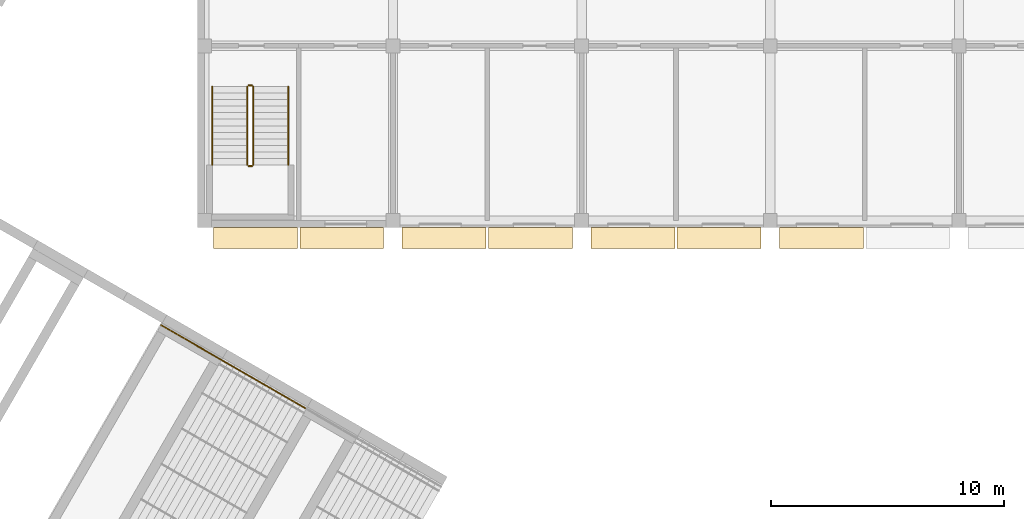
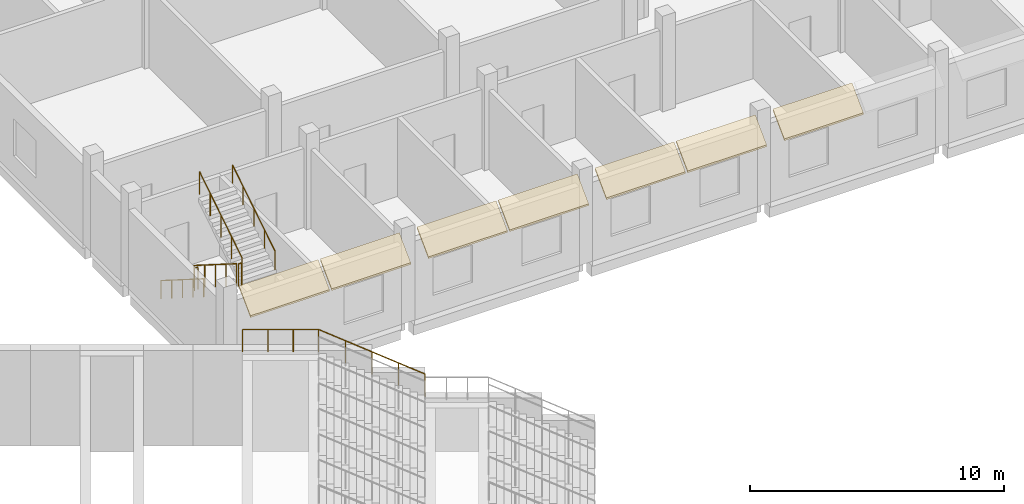
# One storey, part 35 of 38: 8 railings, 7 coverings.
"""IFC4 building model written with IfcOpenShell, lengths in metres."""

from ifc_helpers import new_model, si_unit, direction, frame, origin, origin_2d, place, context, subcontext, project, spatial, polyline, circle, outline, extrude, material, layer, layer_set, type_object, element, save


model = new_model("IFC4")

# Units and contexts
model_context = context("Model", 3, precision=1e-05, world=origin(), true_north=direction((0.0, 1.0)))
body_context = subcontext(model_context, "Body", "Model", "MODEL_VIEW")
ifc_project = project(units=[si_unit("LENGTHUNIT", "METRE"), si_unit("AREAUNIT", "SQUARE_METRE"), si_unit("VOLUMEUNIT", "CUBIC_METRE"), si_unit("PLANEANGLEUNIT", "RADIAN"), si_unit("MASSUNIT", "GRAM", prefix="KILO")], contexts=[model_context])

# Site, building, storey
site_placement = place(None, origin())
site = spatial("IfcSite", under=ifc_project, at=site_placement, CompositionType="ELEMENT")
building_placement = place(site_placement, origin())
building = spatial("IfcBuilding", under=site, at=building_placement, Name="Frailejon Research Tower", CompositionType="ELEMENT")
storey_placement = place(building_placement, frame((0.0, 0.0, 5.60009765625)))
storey = spatial("IfcBuildingStorey", under=building, at=storey_placement, Name="L01", CompositionType="ELEMENT", Elevation=5.60009765625)

# Railings
ifc_material_1 = material(Name="Galvanised steel balustrade", Category="steel")
railing_type_1 = type_object("IfcRailingType", Name="Broad stair guard 1100", PredefinedType="GUARDRAIL", material=ifc_material_1)
railing_1_placement = place(storey_placement, frame((42.64501953125, -24.736572265625, 4.599853515625)))
element("IfcRailing", 1, at=railing_1_placement, inside=storey, type_object=railing_type_1, Name="Broad stair E2 landing guard", PredefinedType="GUARDRAIL", context=body_context, shape_type="SweptSolid", body=[
    extrude(circle(Radius=0.02392578125, at=origin_2d()), frame((0.0, 0.0, 1.076171875), z_axis=(0.866031096941, -0.499990139034, 0.0), x_axis=(0.499990139034, 0.866031096941, 0.0)), (0.0, 0.0, 1.0), 3.0),
    extrude(circle(Radius=0.02099609375, at=origin_2d()), origin(), (0.0, 0.0, 1.0), 1.052001953125),
    extrude(circle(Radius=0.02099609375, at=origin_2d()), frame((0.865966796875, -0.5, 0.0)), (0.0, 0.0, 1.0), 1.052001953125),
    extrude(circle(Radius=0.02099609375, at=origin_2d()), frame((1.732177734375, -1.0, 0.0)), (0.0, 0.0, 1.0), 1.052001953125),
    extrude(circle(Radius=0.02099609375, at=origin_2d()), frame((2.59814453125, -1.5, 0.0)), (0.0, 0.0, 1.0), 1.052001953125),
])
railing_2_placement = place(storey_placement, frame((48.88037109375, -28.336669921875, 2.453125)))
element("IfcRailing", 2, at=railing_2_placement, inside=storey, type_object=railing_type_1, Name="Broad stair E2 flight guard", PredefinedType="GUARDRAIL", context=body_context, shape_type="SweptSolid", body=[
    extrude(circle(Radius=0.02392578125, at=origin_2d()), frame((0.0, 0.0, 1.076171875), z_axis=(-0.771118779901, 0.445238538375, 0.455124676578), x_axis=(-0.500027713859, -0.866009402589, 0.0)), (0.0, 0.0, 1.0), 4.716796875),
    extrude(circle(Radius=0.02099609375, at=origin_2d()), origin(), (0.0, 0.0, 1.0), 1.052001953125),
    extrude(circle(Radius=0.02099609375, at=origin_2d()), frame((-0.9091796875, 0.52490234375, 0.53662109375)), (0.0, 0.0, 1.0), 1.052001953125),
    extrude(circle(Radius=0.02099609375, at=origin_2d()), frame((-1.818603515625, 1.050048828125, 1.0732421875)), (0.0, 0.0, 1.0), 1.052001953125),
    extrude(circle(Radius=0.02099609375, at=origin_2d()), frame((-2.72802734375, 1.5751953125, 1.610107421875)), (0.0, 0.0, 1.0), 1.052001953125),
    extrude(circle(Radius=0.02099609375, at=origin_2d()), frame((-3.63720703125, 2.10009765625, 2.146728515625)), (0.0, 0.0, 1.0), 1.052001953125),
])
ifc_material_2 = material(Name="Galvanised steel balustrade", Category="steel")
railing_type_2 = type_object("IfcRailingType", Name="HC stair guard 1100", PredefinedType="GUARDRAIL", material=ifc_material_2)
railing_3_placement = place(storey_placement, frame((46.35009765625, -14.5, 0.1767578125)))
element("IfcRailing", 3, at=railing_3_placement, inside=storey, type_object=railing_type_2, Name="L01 HS-A stair guard 1", PredefinedType="GUARDRAIL", context=body_context, shape_type="SweptSolid", body=[
    extrude(circle(Radius=0.02392578125, at=origin_2d()), frame((0.0, 0.0, 1.076171875), z_axis=(0.0, -0.845389635667, 0.534150132366), x_axis=(1.0, 0.0, 0.0)), (0.0, 0.0, 1.0), 3.974609375),
    extrude(circle(Radius=0.02099609375, at=origin_2d()), origin(), (0.0, 0.0, 1.0), 1.052001953125),
    extrude(circle(Radius=0.02099609375, at=origin_2d()), frame((0.0, -0.840087890625, 0.53076171875)), (0.0, 0.0, 1.0), 1.052001953125),
    extrude(circle(Radius=0.02099609375, at=origin_2d()), frame((0.0, -1.68017578125, 1.0615234375)), (0.0, 0.0, 1.0), 1.052001953125),
    extrude(circle(Radius=0.02099609375, at=origin_2d()), frame((0.0, -2.52001953125, 1.59228515625)), (0.0, 0.0, 1.0), 1.052001953125),
    extrude(circle(Radius=0.02099609375, at=origin_2d()), frame((0.0, -3.360107421875, 2.123046875)), (0.0, 0.0, 1.0), 1.052001953125),
])
railing_4_placement = place(storey_placement, frame((46.39990234375, -17.909912109375, 2.2998046875)))
element("IfcRailing", 4, at=railing_4_placement, inside=storey, type_object=railing_type_2, Name="L01 HS-A stair guard 2", PredefinedType="GUARDRAIL", context=body_context, shape_type="SweptSolid", body=[
    extrude(circle(Radius=0.02392578125, at=origin_2d()), frame((0.0, 0.0, 1.076171875), z_axis=(1.0, 0.0, 0.0), x_axis=(0.0, 1.0, 0.0)), (0.0, 0.0, 1.0), 0.150146484375),
    extrude(circle(Radius=0.02099609375, at=origin_2d()), origin(), (0.0, 0.0, 1.0), 1.052001953125),
    extrude(circle(Radius=0.02099609375, at=origin_2d()), frame((0.150146484375, 0.0, 0.0)), (0.0, 0.0, 1.0), 1.052001953125),
])
railing_5_placement = place(storey_placement, frame((46.60009765625, -17.860107421875, 2.476806640625)))
element("IfcRailing", 5, at=railing_5_placement, inside=storey, type_object=railing_type_2, Name="L01 HS-A stair guard 3", PredefinedType="GUARDRAIL", context=body_context, shape_type="SweptSolid", body=[
    extrude(circle(Radius=0.02392578125, at=origin_2d()), frame((0.0, 0.0, 1.076171875), z_axis=(0.0, 0.845389635667, 0.534150132366), x_axis=(-1.0, 0.0, 0.0)), (0.0, 0.0, 1.0), 3.974609375),
    extrude(circle(Radius=0.02099609375, at=origin_2d()), origin(), (0.0, 0.0, 1.0), 1.052001953125),
    extrude(circle(Radius=0.02099609375, at=origin_2d()), frame((0.0, 0.840087890625, 0.53076171875)), (0.0, 0.0, 1.0), 1.052001953125),
    extrude(circle(Radius=0.02099609375, at=origin_2d()), frame((0.0, 1.68017578125, 1.0615234375)), (0.0, 0.0, 1.0), 1.052001953125),
    extrude(circle(Radius=0.02099609375, at=origin_2d()), frame((0.0, 2.52001953125, 1.59228515625)), (0.0, 0.0, 1.0), 1.052001953125),
    extrude(circle(Radius=0.02099609375, at=origin_2d()), frame((0.0, 3.360107421875, 2.123046875)), (0.0, 0.0, 1.0), 1.052001953125),
])
railing_6_placement = place(storey_placement, frame((46.39990234375, -14.449951171875, 0.0)))
element("IfcRailing", 6, at=railing_6_placement, inside=storey, type_object=railing_type_2, Name="L01 HS-A stair guard 4", PredefinedType="GUARDRAIL", context=body_context, shape_type="SweptSolid", body=[
    extrude(circle(Radius=0.02392578125, at=origin_2d()), frame((0.0, 0.0, 1.076171875), z_axis=(1.0, 0.0, 0.0), x_axis=(0.0, 1.0, 0.0)), (0.0, 0.0, 1.0), 0.150146484375),
    extrude(circle(Radius=0.02099609375, at=origin_2d()), origin(), (0.0, 0.0, 1.0), 1.052001953125),
    extrude(circle(Radius=0.02099609375, at=origin_2d()), frame((0.150146484375, 0.0, 0.0)), (0.0, 0.0, 1.0), 1.052001953125),
])
ifc_material_3 = material(Name="Stainless steel handrail", Category="steel")
railing_type_3 = type_object("IfcRailingType", Name="HC stair handrail", PredefinedType="HANDRAIL", material=ifc_material_3)
railing_7_placement = place(storey_placement, frame((44.85009765625, -14.5, 0.1767578125)))
element("IfcRailing", 7, at=railing_7_placement, inside=storey, type_object=railing_type_3, Name="L01 HS-A stair handrail 1", PredefinedType="HANDRAIL", context=body_context, shape_type="SweptSolid", body=[
    extrude(circle(Radius=0.02392578125, at=origin_2d()), frame((0.0, 0.0, 0.8759765625), z_axis=(0.0, -0.845389635667, 0.534150132366), x_axis=(1.0, 0.0, 0.0)), (0.0, 0.0, 1.0), 3.974609375),
    extrude(circle(Radius=0.02099609375, at=origin_2d()), origin(), (0.0, 0.0, 1.0), 0.851806640625),
    extrude(circle(Radius=0.02099609375, at=origin_2d()), frame((0.0, -0.840087890625, 0.53076171875)), (0.0, 0.0, 1.0), 0.851806640625),
    extrude(circle(Radius=0.02099609375, at=origin_2d()), frame((0.0, -1.68017578125, 1.0615234375)), (0.0, 0.0, 1.0), 0.851806640625),
    extrude(circle(Radius=0.02099609375, at=origin_2d()), frame((0.0, -2.52001953125, 1.59228515625)), (0.0, 0.0, 1.0), 0.851806640625),
    extrude(circle(Radius=0.02099609375, at=origin_2d()), frame((0.0, -3.360107421875, 2.123046875)), (0.0, 0.0, 1.0), 0.851806640625),
])
railing_8_placement = place(storey_placement, frame((48.10009765625, -17.860107421875, 2.476806640625)))
element("IfcRailing", 8, at=railing_8_placement, inside=storey, type_object=railing_type_3, Name="L01 HS-A stair handrail 2", PredefinedType="HANDRAIL", context=body_context, shape_type="SweptSolid", body=[
    extrude(circle(Radius=0.02392578125, at=origin_2d()), frame((0.0, 0.0, 0.8759765625), z_axis=(0.0, 0.845389635667, 0.534150132366), x_axis=(-1.0, 0.0, 0.0)), (0.0, 0.0, 1.0), 3.974609375),
    extrude(circle(Radius=0.02099609375, at=origin_2d()), origin(), (0.0, 0.0, 1.0), 0.851806640625),
    extrude(circle(Radius=0.02099609375, at=origin_2d()), frame((0.0, 0.840087890625, 0.53076171875)), (0.0, 0.0, 1.0), 0.851806640625),
    extrude(circle(Radius=0.02099609375, at=origin_2d()), frame((0.0, 1.68017578125, 1.0615234375)), (0.0, 0.0, 1.0), 0.851806640625),
    extrude(circle(Radius=0.02099609375, at=origin_2d()), frame((0.0, 2.52001953125, 1.59228515625)), (0.0, 0.0, 1.0), 0.851806640625),
    extrude(circle(Radius=0.02099609375, at=origin_2d()), frame((0.0, 3.360107421875, 2.123046875)), (0.0, 0.0, 1.0), 0.851806640625),
])

# Coverings
ifc_material_4 = material(Name="Precast concrete C50/60", Category="concrete")
ifc_layer = layer(ifc_material_4, 0.06005859375)
ifc_layer_set = layer_set([ifc_layer], Name="HC visor depth 900")
covering_type = type_object("IfcCoveringType", Name="HC visor depth 900", PredefinedType="CLADDING", material=ifc_layer_set)
for number, where, z_axis, x_axis, name in (
    (9, (48.5, -20.550048828125, 4.449951171875), (-1.0, 0.0, 0.0), (0.0, -1.0, 0.0), "HC visor L01"),
    (10, (52.199951171875, -20.550048828125, 4.449951171875), (-1.0, 0.0, 0.0), (0.0, -1.0, 0.0), "HC visor L01"),
    (11, (56.60009765625, -20.550048828125, 4.449951171875), (-1.0, 0.0, 0.0), (0.0, -1.0, 0.0), "HC visor L01"),
    (12, (60.300048828125, -20.550048828125, 4.449951171875), (-1.0, 0.0, 0.0), (0.0, -1.0, 0.0), "HC visor L01"),
    (13, (64.699951171875, -20.550048828125, 4.449951171875), (-1.0, 0.0, 0.0), (0.0, -1.0, 0.0), "HC visor L01"),
    (14, (68.39990234375, -20.550048828125, 4.449951171875), (-1.0, 0.0, 0.0), (0.0, -1.0, 0.0), "HC visor L01"),
    (15, (72.800048828125, -20.550048828125, 4.449951171875), (-1.0, 0.0, 0.0), (0.0, -1.0, 0.0), "HC visor L01"),
):
    element("IfcCovering", number, at=place(storey_placement, frame(where, z_axis=z_axis, x_axis=x_axis)), inside=storey, type_object=covering_type, Name=name, PredefinedType="CLADDING", context=body_context, shape_type="SweptSolid", body=[
        extrude(outline(polyline([(0.0, -0.0849609375), (0.89990234375, -0.98486328125), (0.89990234375, -0.89990234375), (0.0, 0.0), (0.0, -0.0849609375)])), origin(), (0.0, 0.0, 1.0), 3.60009765625),
    ])

save(model, "model.ifc")
